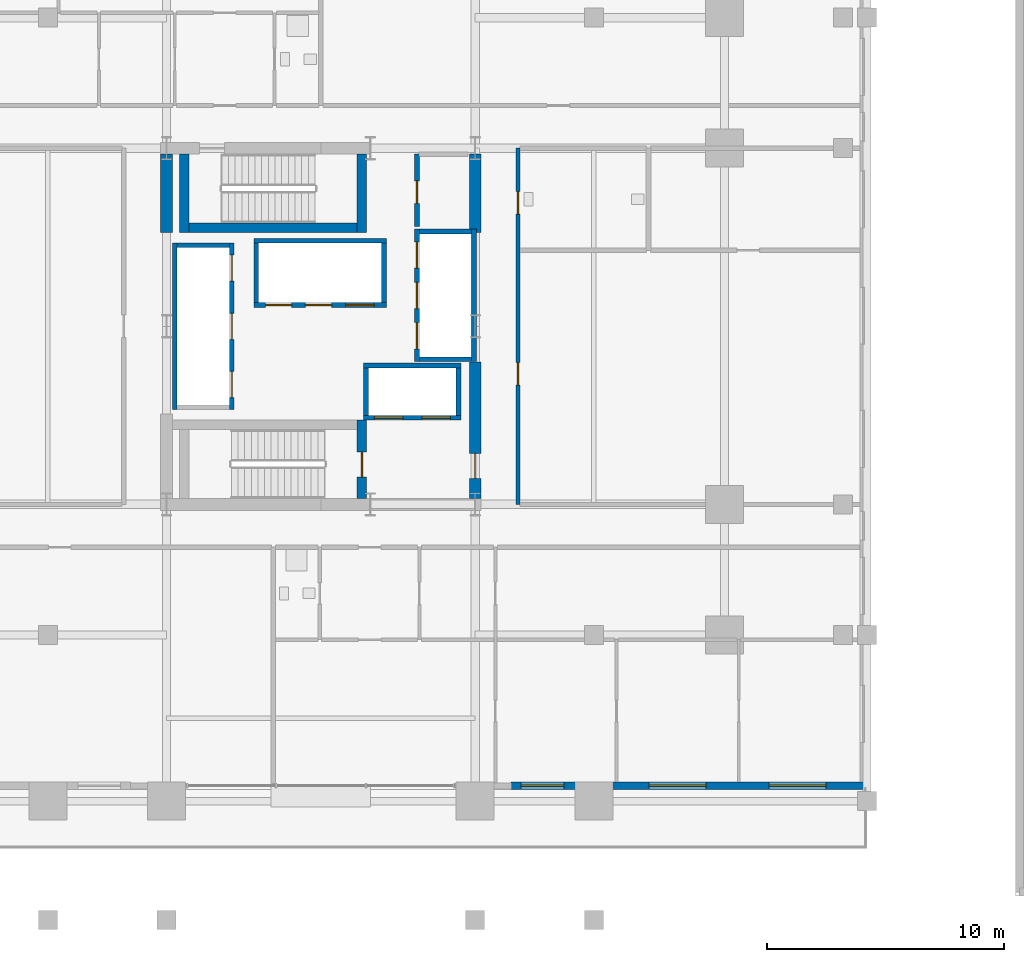
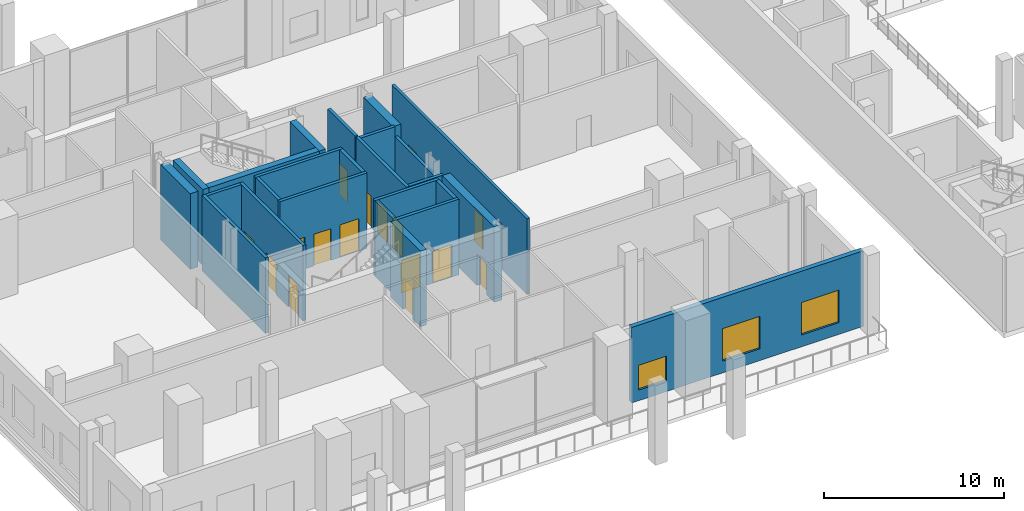
# One storey, part 12 of 22: 25 walls, 16 doors, 3 windows, 19 openings.
"""IFC4 building model written with IfcOpenShell, lengths in metres."""

from ifc_helpers import new_model, si_unit, direction, frame, frame_2d, origin, place, context, subcontext, project, spatial, rectangle, extrude, material, layer, layer_set, type_object, element, fill, save


model = new_model("IFC4")

# Units and contexts
model_context = context("Model", 3, precision=1e-05, world=origin(), true_north=direction((0.0, 1.0)))
body_context = subcontext(model_context, "Body", "Model", "MODEL_VIEW")
ifc_project = project(units=[si_unit("LENGTHUNIT", "METRE"), si_unit("AREAUNIT", "SQUARE_METRE"), si_unit("VOLUMEUNIT", "CUBIC_METRE"), si_unit("PLANEANGLEUNIT", "RADIAN"), si_unit("MASSUNIT", "GRAM", prefix="KILO")], contexts=[model_context])

# Site, building, storey
site_placement = place(None, origin())
site = spatial("IfcSite", under=ifc_project, at=site_placement, CompositionType="ELEMENT")
building_placement = place(site_placement, origin())
building = spatial("IfcBuilding", under=site, at=building_placement, Name="Barlavira Tower and Art Museum", CompositionType="ELEMENT")
storey_placement = place(building_placement, frame((0.0, 0.0, 16.800048828125)))
storey = spatial("IfcBuildingStorey", under=building, at=storey_placement, Name="L03", CompositionType="ELEMENT", Elevation=16.800048828125)

# Wall
ifc_material_1 = material(Name="Concrete C60", Category="concrete")
ifc_layer_1 = layer(ifc_material_1, 0.5, Name="Concrete C60")
ifc_layer_set_1 = layer_set([ifc_layer_1], Name="Concrete C60")
wall_type_1 = type_object("IfcWallType", Name="Core Structural Shear Wall 500 Concrete C60", PredefinedType="SHEAR", material=ifc_layer_set_1)
wall_1_placement = place(storey_placement, frame((-6.5, 3.949951171875, 0.0), z_axis=(0.0, 0.0, 1.0), x_axis=(0.0, 1.0, 0.0)))
element("IfcWall", 1, at=wall_1_placement, inside=storey, type_object=wall_type_1, Name="L03 Core Shear Wall CS-W2", PredefinedType="SHEAR", context=body_context, shape_type="SweptSolid", body=[
    extrude(rectangle(XDim=3.300048828125, YDim=0.5, at=frame_2d((1.64990234375, 0.0))), origin(), (0.0, 0.0, 1.0), 5.119873046875),
])

# Wall, opening, door
wall_2_placement = place(storey_placement, frame((6.5, -7.25, 0.0), z_axis=(0.0, 0.0, 1.0), x_axis=(0.0, 1.0, 0.0)))
wall_2 = element("IfcWall", 2, at=wall_2_placement, inside=storey, type_object=wall_type_1, Name="L03 Core Shear Wall CS-E1", PredefinedType="SHEAR", context=body_context, shape_type="SweptSolid", body=[
    extrude(rectangle(XDim=5.75, YDim=0.5, at=frame_2d((2.875, 0.0))), origin(), (0.0, 0.0, 1.0), 5.119873046875),
])
opening_1_placement = place(wall_2_placement, frame((0.85009765625, 0.0, 0.0)))
opening_1 = element("IfcOpeningElement", 3, at=opening_1_placement, cuts=wall_2, Name="Opening FD-90", PredefinedType="OPENING", context=body_context, shape_type="SweptSolid", body=[
    extrude(rectangle(XDim=1.050048828125, YDim=2.14990234375, at=frame_2d((0.52490234375, 1.074951171875))), frame((0.0, 0.260009765625, 0.0), z_axis=(0.0, -1.0, 0.0), x_axis=(1.0, 0.0, 0.0)), (0.0, 0.0, 1.0), 0.52001953125),
])
ifc_material_2 = material(Name="Brushed stainless steel", Category="steel")
door_type_1 = type_object("IfcDoorType", Name="Stair and Refuge Fire Door 1050x2150 FD90S", OperationType="NOTDEFINED", PredefinedType="DOOR", material=ifc_material_2)
door_1_placement = place(opening_1_placement, origin())
door_1 = element("IfcDoor", 4, at=door_1_placement, inside=storey, type_object=door_type_1, Name="L03 Firefighting Lobby Entry Fire Door", OperationType="SINGLE_SWING_LEFT", OverallHeight=2.14990234375, OverallWidth=1.050048828125, PredefinedType="DOOR", context=body_context, shape_type="SweptSolid", body=[
    extrude(rectangle(XDim=1.050048828125, YDim=2.14990234375, at=frame_2d((0.52490234375, 1.074951171875))), frame((0.0, 0.02490234375, 0.0), z_axis=(0.0, -1.0, 0.0), x_axis=(1.0, 0.0, 0.0)), (0.0, 0.0, 1.0), 0.050048828125),
])
fill(opening_1, door_1)

# Wall
wall_3_placement = place(storey_placement, frame((6.5, 3.949951171875, 0.0), z_axis=(0.0, 0.0, 1.0), x_axis=(0.0, 1.0, 0.0)))
element("IfcWall", 5, at=wall_3_placement, inside=storey, type_object=wall_type_1, Name="L03 Core Shear Wall CS-E2", PredefinedType="SHEAR", context=body_context, shape_type="SweptSolid", body=[
    extrude(rectangle(XDim=3.300048828125, YDim=0.5, at=frame_2d((1.64990234375, 0.0))), origin(), (0.0, 0.0, 1.0), 5.119873046875),
])

# Wall, openings, doors
ifc_material_3 = material(Name="Autoclaved aerated concrete masonry", Category="masonry")
ifc_layer_2 = layer(ifc_material_3, 0.199951171875, Name="Autoclaved aerated concrete masonry")
ifc_layer_set_2 = layer_set([ifc_layer_2], Name="Autoclaved aerated concrete masonry")
wall_type_2 = type_object("IfcWallType", Name="Fire Compartment and Shaft Wall 200", PredefinedType="SOLIDWALL", material=ifc_layer_set_2)
wall_4_placement = place(storey_placement, frame((-3.75, -3.510009765625, 0.0), z_axis=(0.0, 0.0, 1.0), x_axis=(0.0, 1.0, 0.0)))
wall_4 = element("IfcWall", 6, at=wall_4_placement, inside=storey, type_object=wall_type_2, Name="L03 Low-Rise Lift Front Shaft Wall", PredefinedType="SOLIDWALL", context=body_context, shape_type="SweptSolid", body=[
    extrude(rectangle(XDim=7.02001953125, YDim=0.199951171875, at=frame_2d((3.510009765625, 0.0))), origin(), (0.0, 0.0, 1.0), 5.119873046875),
])
opening_2_placement = place(wall_4_placement, frame((0.510009765625, 0.0, 0.0)))
opening_2 = element("IfcOpeningElement", 7, at=opening_2_placement, cuts=wall_4, Name="Opening LD-P", PredefinedType="OPENING", context=body_context, shape_type="SweptSolid", body=[
    extrude(rectangle(XDim=1.10009765625, YDim=2.14990234375, at=frame_2d((0.550048828125, 1.074951171875))), frame((0.0, 0.10986328125, 0.0), z_axis=(0.0, -1.0, 0.0), x_axis=(1.0, 0.0, 0.0)), (0.0, 0.0, 1.0), 0.219970703125),
])
opening_3_placement = place(wall_4_placement, frame((2.9599609375, 0.0, 0.0)))
opening_3 = element("IfcOpeningElement", 8, at=opening_3_placement, cuts=wall_4, Name="Opening LD-P", PredefinedType="OPENING", context=body_context, shape_type="SweptSolid", body=[
    extrude(rectangle(XDim=1.10009765625, YDim=2.14990234375, at=frame_2d((0.550048828125, 1.074951171875))), frame((0.0, 0.10986328125, 0.0), z_axis=(0.0, -1.0, 0.0), x_axis=(1.0, 0.0, 0.0)), (0.0, 0.0, 1.0), 0.219970703125),
])
opening_4_placement = place(wall_4_placement, frame((5.409912109375, 0.0, 0.0)))
opening_4 = element("IfcOpeningElement", 9, at=opening_4_placement, cuts=wall_4, Name="Opening LD-P", PredefinedType="OPENING", context=body_context, shape_type="SweptSolid", body=[
    extrude(rectangle(XDim=1.10009765625, YDim=2.14990234375, at=frame_2d((0.550048828125, 1.074951171875))), frame((0.0, 0.10986328125, 0.0), z_axis=(0.0, -1.0, 0.0), x_axis=(1.0, 0.0, 0.0)), (0.0, 0.0, 1.0), 0.219970703125),
])
door_type_2 = type_object("IfcDoorType", Name="Passenger Lift Sliding Landing Door 1100x2150 FD60", OperationType="NOTDEFINED", PredefinedType="DOOR", material=ifc_material_2)
door_2_placement = place(opening_2_placement, origin())
door_2 = element("IfcDoor", 10, at=door_2_placement, inside=storey, type_object=door_type_2, Name="L03 Lift PL1 Sliding Landing Door", OperationType="DOUBLE_DOOR_SLIDING", OverallHeight=2.14990234375, OverallWidth=1.10009765625, PredefinedType="DOOR", context=body_context, shape_type="SweptSolid", body=[
    extrude(rectangle(XDim=1.10009765625, YDim=2.14990234375, at=frame_2d((0.550048828125, 1.074951171875))), frame((0.0, 0.02490234375, 0.0), z_axis=(0.0, -1.0, 0.0), x_axis=(1.0, 0.0, 0.0)), (0.0, 0.0, 1.0), 0.050048828125),
])
fill(opening_2, door_2)
door_3_placement = place(opening_3_placement, origin())
door_3 = element("IfcDoor", 11, at=door_3_placement, inside=storey, type_object=door_type_2, Name="L03 Lift PL2 Sliding Landing Door", OperationType="DOUBLE_DOOR_SLIDING", OverallHeight=2.14990234375, OverallWidth=1.10009765625, PredefinedType="DOOR", context=body_context, shape_type="SweptSolid", body=[
    extrude(rectangle(XDim=1.10009765625, YDim=2.14990234375, at=frame_2d((0.550048828125, 1.074951171875))), frame((0.0, 0.02490234375, 0.0), z_axis=(0.0, -1.0, 0.0), x_axis=(1.0, 0.0, 0.0)), (0.0, 0.0, 1.0), 0.050048828125),
])
fill(opening_3, door_3)
door_4_placement = place(opening_4_placement, origin())
door_4 = element("IfcDoor", 12, at=door_4_placement, inside=storey, type_object=door_type_2, Name="L03 Lift PL3 Sliding Landing Door", OperationType="DOUBLE_DOOR_SLIDING", OverallHeight=2.14990234375, OverallWidth=1.10009765625, PredefinedType="DOOR", context=body_context, shape_type="SweptSolid", body=[
    extrude(rectangle(XDim=1.10009765625, YDim=2.14990234375, at=frame_2d((0.550048828125, 1.074951171875))), frame((0.0, 0.02490234375, 0.0), z_axis=(0.0, -1.0, 0.0), x_axis=(1.0, 0.0, 0.0)), (0.0, 0.0, 1.0), 0.050048828125),
])
fill(opening_4, door_4)

# Walls
wall_5_placement = place(storey_placement, frame((-6.14990234375, -3.510009765625, 0.0), z_axis=(0.0, 0.0, 1.0), x_axis=(0.0, 1.0, 0.0)))
element("IfcWall", 13, at=wall_5_placement, inside=storey, type_object=wall_type_2, Name="L03 Low-Rise Lift Back Shaft Wall", PredefinedType="SOLIDWALL", context=body_context, shape_type="SweptSolid", body=[
    extrude(rectangle(XDim=7.02001953125, YDim=0.199951171875, at=frame_2d((3.510009765625, 0.0))), origin(), (0.0, 0.0, 1.0), 5.119873046875),
])
wall_6_placement = place(storey_placement, frame((-6.050048828125, 3.409912109375, 0.0), z_axis=(0.0, 0.0, 1.0), x_axis=(1.0, 0.0, 0.0)))
element("IfcWall", 14, at=wall_6_placement, inside=storey, type_object=wall_type_2, Name="L03 Low-Rise Lift North Shaft Wall", PredefinedType="SOLIDWALL", context=body_context, shape_type="SweptSolid", body=[
    extrude(rectangle(XDim=2.199951171875, YDim=0.199951171875, at=frame_2d((1.10009765625, 0.0))), origin(), (0.0, 0.0, 1.0), 5.119873046875),
])

# Wall, openings, doors
wall_7_placement = place(storey_placement, frame((4.050048828125, -1.489990234375, 0.0), z_axis=(0.0, 0.0, 1.0), x_axis=(0.0, 1.0, 0.0)))
wall_7 = element("IfcWall", 15, at=wall_7_placement, inside=storey, type_object=wall_type_2, Name="L03 Mid-Rise Lift Front Shaft Wall", PredefinedType="SOLIDWALL", context=body_context, shape_type="SweptSolid", body=[
    extrude(rectangle(XDim=5.580078125, YDim=0.199951171875, at=frame_2d((2.7900390625, 0.0))), origin(), (0.0, 0.0, 1.0), 5.119873046875),
])
opening_5_placement = place(wall_7_placement, frame((0.5400390625, 0.0, 0.0)))
opening_5 = element("IfcOpeningElement", 16, at=opening_5_placement, cuts=wall_7, Name="Opening LD-P", PredefinedType="OPENING", context=body_context, shape_type="SweptSolid", body=[
    extrude(rectangle(XDim=1.10009765625, YDim=2.14990234375, at=frame_2d((0.550048828125, 1.074951171875))), frame((0.0, 0.10986328125, 0.0), z_axis=(0.0, -1.0, 0.0), x_axis=(1.0, 0.0, 0.0)), (0.0, 0.0, 1.0), 0.219970703125),
])
opening_6_placement = place(wall_7_placement, frame((2.239990234375, 0.0, 0.0)))
opening_6 = element("IfcOpeningElement", 17, at=opening_6_placement, cuts=wall_7, Name="Opening LD-P", PredefinedType="OPENING", context=body_context, shape_type="SweptSolid", body=[
    extrude(rectangle(XDim=1.10009765625, YDim=2.14990234375, at=frame_2d((0.550048828125, 1.074951171875))), frame((0.0, 0.10986328125, 0.0), z_axis=(0.0, -1.0, 0.0), x_axis=(1.0, 0.0, 0.0)), (0.0, 0.0, 1.0), 0.219970703125),
])
opening_7_placement = place(wall_7_placement, frame((3.93994140625, 0.0, 0.0)))
opening_7 = element("IfcOpeningElement", 18, at=opening_7_placement, cuts=wall_7, Name="Opening LD-P", PredefinedType="OPENING", context=body_context, shape_type="SweptSolid", body=[
    extrude(rectangle(XDim=1.10009765625, YDim=2.14990234375, at=frame_2d((0.550048828125, 1.074951171875))), frame((0.0, 0.10986328125, 0.0), z_axis=(0.0, -1.0, 0.0), x_axis=(1.0, 0.0, 0.0)), (0.0, 0.0, 1.0), 0.219970703125),
])
door_5_placement = place(opening_5_placement, origin())
door_5 = element("IfcDoor", 19, at=door_5_placement, inside=storey, type_object=door_type_2, Name="L03 Lift PM1 Sliding Landing Door", OperationType="DOUBLE_DOOR_SLIDING", OverallHeight=2.14990234375, OverallWidth=1.10009765625, PredefinedType="DOOR", context=body_context, shape_type="SweptSolid", body=[
    extrude(rectangle(XDim=1.10009765625, YDim=2.14990234375, at=frame_2d((0.550048828125, 1.074951171875))), frame((0.0, 0.02490234375, 0.0), z_axis=(0.0, -1.0, 0.0), x_axis=(1.0, 0.0, 0.0)), (0.0, 0.0, 1.0), 0.050048828125),
])
fill(opening_5, door_5)
door_6_placement = place(opening_6_placement, origin())
door_6 = element("IfcDoor", 20, at=door_6_placement, inside=storey, type_object=door_type_2, Name="L03 Lift PM2 Sliding Landing Door", OperationType="DOUBLE_DOOR_SLIDING", OverallHeight=2.14990234375, OverallWidth=1.10009765625, PredefinedType="DOOR", context=body_context, shape_type="SweptSolid", body=[
    extrude(rectangle(XDim=1.10009765625, YDim=2.14990234375, at=frame_2d((0.550048828125, 1.074951171875))), frame((0.0, 0.02490234375, 0.0), z_axis=(0.0, -1.0, 0.0), x_axis=(1.0, 0.0, 0.0)), (0.0, 0.0, 1.0), 0.050048828125),
])
fill(opening_6, door_6)
door_7_placement = place(opening_7_placement, origin())
door_7 = element("IfcDoor", 21, at=door_7_placement, inside=storey, type_object=door_type_2, Name="L03 Lift PM3 Sliding Landing Door", OperationType="DOUBLE_DOOR_SLIDING", OverallHeight=2.14990234375, OverallWidth=1.10009765625, PredefinedType="DOOR", context=body_context, shape_type="SweptSolid", body=[
    extrude(rectangle(XDim=1.10009765625, YDim=2.14990234375, at=frame_2d((0.550048828125, 1.074951171875))), frame((0.0, 0.02490234375, 0.0), z_axis=(0.0, -1.0, 0.0), x_axis=(1.0, 0.0, 0.0)), (0.0, 0.0, 1.0), 0.050048828125),
])
fill(opening_7, door_7)

# Walls
wall_8_placement = place(storey_placement, frame((6.449951171875, -1.489990234375, 0.0), z_axis=(0.0, 0.0, 1.0), x_axis=(0.0, 1.0, 0.0)))
element("IfcWall", 22, at=wall_8_placement, inside=storey, type_object=wall_type_2, Name="L03 Mid-Rise Lift Back Shaft Wall", PredefinedType="SOLIDWALL", context=body_context, shape_type="SweptSolid", body=[
    extrude(rectangle(XDim=5.580078125, YDim=0.199951171875, at=frame_2d((2.7900390625, 0.0))), origin(), (0.0, 0.0, 1.0), 4.409912109375),
])
for number, where, z_axis, x_axis, name in (
    (23, (4.14990234375, -1.389892578125, 0.0), (0.0, 0.0, 1.0), (1.0, 0.0, 0.0), "L03 Mid-Rise Lift South Shaft Wall"),
    (24, (4.14990234375, 3.989990234375, 0.0), (0.0, 0.0, 1.0), (1.0, 0.0, 0.0), "L03 Mid-Rise Lift North Shaft Wall"),
):
    element("IfcWall", number, at=place(storey_placement, frame(where, z_axis=z_axis, x_axis=x_axis)), inside=storey, type_object=wall_type_2, Name=name, PredefinedType="SOLIDWALL", context=body_context, shape_type="SweptSolid", body=[
        extrude(rectangle(XDim=2.2001953125, YDim=0.199951171875, at=frame_2d((1.10009765625, 0.0))), origin(), (0.0, 0.0, 1.0), 5.119873046875),
    ])

# Wall, openings, doors
wall_9_placement = place(storey_placement, frame((-2.820068359375, 0.89990234375, 0.0), z_axis=(0.0, 0.0, 1.0), x_axis=(1.0, 0.0, 0.0)))
wall_9 = element("IfcWall", 25, at=wall_9_placement, inside=storey, type_object=wall_type_2, Name="L03 High-Rise & Service Lift Front Wall", PredefinedType="SOLIDWALL", context=body_context, shape_type="SweptSolid", body=[
    extrude(rectangle(XDim=5.580078125, YDim=0.199951171875, at=frame_2d((2.7900390625, 0.0))), origin(), (0.0, 0.0, 1.0), 5.119873046875),
])
opening_8_placement = place(wall_9_placement, frame((0.489990234375, 0.0, 0.0)))
opening_8 = element("IfcOpeningElement", 26, at=opening_8_placement, cuts=wall_9, Name="Opening LD-P", PredefinedType="OPENING", context=body_context, shape_type="SweptSolid", body=[
    extrude(rectangle(XDim=1.10009765625, YDim=2.14990234375, at=frame_2d((0.550048828125, 1.074951171875))), frame((0.0, 0.10986328125, 0.0), z_axis=(0.0, -1.0, 0.0), x_axis=(1.0, 0.0, 0.0)), (0.0, 0.0, 1.0), 0.219970703125),
])
opening_9_placement = place(wall_9_placement, frame((2.169921875, 0.0, 0.0)))
opening_9 = element("IfcOpeningElement", 27, at=opening_9_placement, cuts=wall_9, Name="Opening LD-P", PredefinedType="OPENING", context=body_context, shape_type="SweptSolid", body=[
    extrude(rectangle(XDim=1.10009765625, YDim=2.14990234375, at=frame_2d((0.550048828125, 1.074951171875))), frame((0.0, 0.10986328125, 0.0), z_axis=(0.0, -1.0, 0.0), x_axis=(1.0, 0.0, 0.0)), (0.0, 0.0, 1.0), 0.219970703125),
])
opening_10_placement = place(wall_9_placement, frame((3.860107421875, 0.0, 0.0)))
opening_10 = element("IfcOpeningElement", 28, at=opening_10_placement, cuts=wall_9, Name="Opening LD-F", PredefinedType="OPENING", context=body_context, shape_type="SweptSolid", body=[
    extrude(rectangle(XDim=1.199951171875, YDim=2.199951171875, at=frame_2d((0.60009765625, 1.10009765625))), frame((0.0, 0.10986328125, 0.0), z_axis=(0.0, -1.0, 0.0), x_axis=(1.0, 0.0, 0.0)), (0.0, 0.0, 1.0), 0.219970703125),
])
door_type_3 = type_object("IfcDoorType", Name="Firefighting and Service Lift Sliding Door 1200x2200 FD120", OperationType="NOTDEFINED", PredefinedType="DOOR", material=ifc_material_2)
door_8_placement = place(opening_10_placement, origin())
door_8 = element("IfcDoor", 29, at=door_8_placement, inside=storey, type_object=door_type_3, Name="L03 Stretcher Service Lift SL1 Sliding Door", OperationType="DOUBLE_DOOR_SLIDING", OverallHeight=2.199951171875, OverallWidth=1.199951171875, PredefinedType="DOOR", context=body_context, shape_type="SweptSolid", body=[
    extrude(rectangle(XDim=1.199951171875, YDim=2.199951171875, at=frame_2d((0.60009765625, 1.10009765625))), frame((0.0, 0.02490234375, 0.0), z_axis=(0.0, -1.0, 0.0), x_axis=(1.0, 0.0, 0.0)), (0.0, 0.0, 1.0), 0.050048828125),
])
fill(opening_10, door_8)
door_9_placement = place(opening_8_placement, origin())
door_9 = element("IfcDoor", 30, at=door_9_placement, inside=storey, type_object=door_type_2, Name="L03 Lift PH1 Sliding Landing Door", OperationType="DOUBLE_DOOR_SLIDING", OverallHeight=2.14990234375, OverallWidth=1.10009765625, PredefinedType="DOOR", context=body_context, shape_type="SweptSolid", body=[
    extrude(rectangle(XDim=1.10009765625, YDim=2.14990234375, at=frame_2d((0.550048828125, 1.074951171875))), frame((0.0, 0.02490234375, 0.0), z_axis=(0.0, -1.0, 0.0), x_axis=(1.0, 0.0, 0.0)), (0.0, 0.0, 1.0), 0.050048828125),
])
fill(opening_8, door_9)
door_10_placement = place(opening_9_placement, origin())
door_10 = element("IfcDoor", 31, at=door_10_placement, inside=storey, type_object=door_type_2, Name="L03 Lift PH2 Sliding Landing Door", OperationType="DOUBLE_DOOR_SLIDING", OverallHeight=2.14990234375, OverallWidth=1.10009765625, PredefinedType="DOOR", context=body_context, shape_type="SweptSolid", body=[
    extrude(rectangle(XDim=1.10009765625, YDim=2.14990234375, at=frame_2d((0.550048828125, 1.074951171875))), frame((0.0, 0.02490234375, 0.0), z_axis=(0.0, -1.0, 0.0), x_axis=(1.0, 0.0, 0.0)), (0.0, 0.0, 1.0), 0.050048828125),
])
fill(opening_9, door_10)

# Walls
wall_10_placement = place(storey_placement, frame((-2.820068359375, 3.60009765625, 0.0), z_axis=(0.0, 0.0, 1.0), x_axis=(1.0, 0.0, 0.0)))
element("IfcWall", 32, at=wall_10_placement, inside=storey, type_object=wall_type_2, Name="L03 High-Rise & Service Lift Back Wall", PredefinedType="SOLIDWALL", context=body_context, shape_type="SweptSolid", body=[
    extrude(rectangle(XDim=5.580078125, YDim=0.199951171875, at=frame_2d((2.7900390625, 0.0))), origin(), (0.0, 0.0, 1.0), 5.119873046875),
])
for number, where, z_axis, x_axis, name in (
    (33, (-2.719970703125, 1.0, 0.0), (0.0, 0.0, 1.0), (0.0, 1.0, 0.0), "L03 High-Rise & Service Lift West Wall"),
    (34, (2.659912109375, 1.0, 0.0), (0.0, 0.0, 1.0), (0.0, 1.0, 0.0), "L03 High-Rise & Service Lift East Wall"),
):
    element("IfcWall", number, at=place(storey_placement, frame(where, z_axis=z_axis, x_axis=x_axis)), inside=storey, type_object=wall_type_2, Name=name, PredefinedType="SOLIDWALL", context=body_context, shape_type="SweptSolid", body=[
        extrude(rectangle(XDim=2.5, YDim=0.199951171875, at=frame_2d((1.25, 0.0))), origin(), (0.0, 0.0, 1.0), 5.119873046875),
    ])

# Wall, openings, doors
wall_11_placement = place(storey_placement, frame((1.800048828125, -3.85009765625, 0.0), z_axis=(0.0, 0.0, 1.0), x_axis=(1.0, 0.0, 0.0)))
wall_11 = element("IfcWall", 35, at=wall_11_placement, inside=storey, type_object=wall_type_2, Name="L03 Firefighting Lift Front Shaft Wall", PredefinedType="SOLIDWALL", context=body_context, shape_type="SweptSolid", body=[
    extrude(rectangle(XDim=4.099853515625, YDim=0.199951171875, at=frame_2d((2.0498046875, 0.0))), origin(), (0.0, 0.0, 1.0), 5.119873046875),
])
opening_11_placement = place(wall_11_placement, frame((0.449951171875, 0.0, 0.0)))
opening_11 = element("IfcOpeningElement", 36, at=opening_11_placement, cuts=wall_11, Name="Opening LD-F", PredefinedType="OPENING", context=body_context, shape_type="SweptSolid", body=[
    extrude(rectangle(XDim=1.199951171875, YDim=2.199951171875, at=frame_2d((0.60009765625, 1.10009765625))), frame((0.0, 0.10986328125, 0.0), z_axis=(0.0, -1.0, 0.0), x_axis=(1.0, 0.0, 0.0)), (0.0, 0.0, 1.0), 0.219970703125),
])
opening_12_placement = place(wall_11_placement, frame((2.449951171875, 0.0, 0.0)))
opening_12 = element("IfcOpeningElement", 37, at=opening_12_placement, cuts=wall_11, Name="Opening LD-F", PredefinedType="OPENING", context=body_context, shape_type="SweptSolid", body=[
    extrude(rectangle(XDim=1.199951171875, YDim=2.199951171875, at=frame_2d((0.60009765625, 1.10009765625))), frame((0.0, 0.10986328125, 0.0), z_axis=(0.0, -1.0, 0.0), x_axis=(1.0, 0.0, 0.0)), (0.0, 0.0, 1.0), 0.219970703125),
])
door_11_placement = place(opening_11_placement, origin())
door_11 = element("IfcDoor", 38, at=door_11_placement, inside=storey, type_object=door_type_3, Name="L03 Firefighting Lift FF1 Sliding Door", OperationType="DOUBLE_DOOR_SLIDING", OverallHeight=2.199951171875, OverallWidth=1.199951171875, PredefinedType="DOOR", context=body_context, shape_type="SweptSolid", body=[
    extrude(rectangle(XDim=1.199951171875, YDim=2.199951171875, at=frame_2d((0.60009765625, 1.10009765625))), frame((0.0, 0.02490234375, 0.0), z_axis=(0.0, -1.0, 0.0), x_axis=(1.0, 0.0, 0.0)), (0.0, 0.0, 1.0), 0.050048828125),
])
fill(opening_11, door_11)
door_12_placement = place(opening_12_placement, origin())
door_12 = element("IfcDoor", 39, at=door_12_placement, inside=storey, type_object=door_type_3, Name="L03 Firefighting Lift FF2 Sliding Door", OperationType="DOUBLE_DOOR_SLIDING", OverallHeight=2.199951171875, OverallWidth=1.199951171875, PredefinedType="DOOR", context=body_context, shape_type="SweptSolid", body=[
    extrude(rectangle(XDim=1.199951171875, YDim=2.199951171875, at=frame_2d((0.60009765625, 1.10009765625))), frame((0.0, 0.02490234375, 0.0), z_axis=(0.0, -1.0, 0.0), x_axis=(1.0, 0.0, 0.0)), (0.0, 0.0, 1.0), 0.050048828125),
])
fill(opening_12, door_12)

# Walls
wall_12_placement = place(storey_placement, frame((1.800048828125, -1.64990234375, 0.0), z_axis=(0.0, 0.0, 1.0), x_axis=(1.0, 0.0, 0.0)))
element("IfcWall", 40, at=wall_12_placement, inside=storey, type_object=wall_type_2, Name="L03 Firefighting Lift Back Shaft Wall", PredefinedType="SOLIDWALL", context=body_context, shape_type="SweptSolid", body=[
    extrude(rectangle(XDim=4.099853515625, YDim=0.199951171875, at=frame_2d((2.0498046875, 0.0))), origin(), (0.0, 0.0, 1.0), 5.119873046875),
])
for number, where, z_axis, x_axis, name in (
    (41, (1.89990234375, -3.75, 0.0), (0.0, 0.0, 1.0), (0.0, 1.0, 0.0), "L03 Firefighting Lift West Shaft Wall"),
    (42, (5.800048828125, -3.75, 0.0), (0.0, 0.0, 1.0), (0.0, 1.0, 0.0), "L03 Firefighting Lift East Shaft Wall"),
):
    element("IfcWall", number, at=place(storey_placement, frame(where, z_axis=z_axis, x_axis=x_axis)), inside=storey, type_object=wall_type_2, Name=name, PredefinedType="SOLIDWALL", context=body_context, shape_type="SweptSolid", body=[
        extrude(rectangle(XDim=2.0, YDim=0.199951171875, at=frame_2d((1.0, 0.0))), origin(), (0.0, 0.0, 1.0), 5.119873046875),
    ])

# Wall, opening, door
wall_13_placement = place(storey_placement, frame((4.050048828125, 4.199951171875, 0.0), z_axis=(0.0, 0.0, 1.0), x_axis=(0.0, 1.0, 0.0)))
wall_13 = element("IfcWall", 43, at=wall_13_placement, inside=storey, type_object=wall_type_2, Name="L03 Partition Wall 10", PredefinedType="SOLIDWALL", context=body_context, shape_type="SweptSolid", body=[
    extrude(rectangle(XDim=3.050048828125, YDim=0.199951171875, at=frame_2d((1.52490234375, 0.0))), origin(), (0.0, 0.0, 1.0), 5.119873046875),
])
opening_13_placement = place(wall_13_placement, frame((0.97509765625, 0.0, 0.0)))
opening_13 = element("IfcOpeningElement", 44, at=opening_13_placement, cuts=wall_13, Name="Opening FD-60", PredefinedType="OPENING", context=body_context, shape_type="SweptSolid", body=[
    extrude(rectangle(XDim=0.949951171875, YDim=2.14990234375, at=frame_2d((0.47509765625, 1.074951171875))), frame((0.0, 0.10986328125, 0.0), z_axis=(0.0, -1.0, 0.0), x_axis=(1.0, 0.0, 0.0)), (0.0, 0.0, 1.0), 0.219970703125),
])
door_type_4 = type_object("IfcDoorType", Name="Apartment Entrance and Riser Fire Door 950x2150 FD60S", OperationType="NOTDEFINED", PredefinedType="DOOR", material=ifc_material_2)
door_13_placement = place(opening_13_placement, origin())
door_13 = element("IfcDoor", 45, at=door_13_placement, inside=storey, type_object=door_type_4, Name="Combined Electrical and Telecom Plant Room Door", OperationType="SINGLE_SWING_RIGHT", OverallHeight=2.14990234375, OverallWidth=0.949951171875, PredefinedType="DOOR", context=body_context, shape_type="SweptSolid", body=[
    extrude(rectangle(XDim=0.949951171875, YDim=2.14990234375, at=frame_2d((0.47509765625, 1.074951171875))), frame((0.0, 0.02490234375, 0.0), z_axis=(0.0, -1.0, 0.0), x_axis=(1.0, 0.0, 0.0)), (0.0, 0.0, 1.0), 0.050048828125),
])
fill(opening_13, door_13)

# Wall, openings, doors
ifc_material_4 = material(Name="Gypsum acoustic stud partition", Category="gypsum")
ifc_layer_3 = layer(ifc_material_4, 0.179931640625, Name="Gypsum acoustic stud partition")
ifc_layer_set_3 = layer_set([ifc_layer_3], Name="Gypsum acoustic stud partition")
wall_type_3 = type_object("IfcWallType", Name="Inter-Tenancy Party Partition Wall 180", PredefinedType="PARTITIONING", material=ifc_layer_set_3)
wall_14_placement = place(storey_placement, frame((8.300048828125, -7.5, 0.0), z_axis=(0.0, 0.0, 1.0), x_axis=(0.0, 1.0, 0.0)))
wall_14 = element("IfcWall", 46, at=wall_14_placement, inside=storey, type_object=wall_type_3, Name="L03 Partition Wall 13", PredefinedType="PARTITIONING", context=body_context, shape_type="SweptSolid", body=[
    extrude(rectangle(XDim=15.0, YDim=0.179931640625, at=frame_2d((7.5, 0.0))), origin(), (0.0, 0.0, 1.0), 5.119873046875),
])
opening_14_placement = place(wall_14_placement, frame((5.02490234375, 0.0, 0.0)))
opening_14 = element("IfcOpeningElement", 47, at=opening_14_placement, cuts=wall_14, Name="Opening FD-60", PredefinedType="OPENING", context=body_context, shape_type="SweptSolid", body=[
    extrude(rectangle(XDim=0.949951171875, YDim=2.14990234375, at=frame_2d((0.47509765625, 1.074951171875))), frame((0.0, 0.10009765625, 0.0), z_axis=(0.0, -1.0, 0.0), x_axis=(1.0, 0.0, 0.0)), (0.0, 0.0, 1.0), 0.199951171875),
])
opening_15_placement = place(wall_14_placement, frame((12.22509765625, 0.0, 0.0)))
opening_15 = element("IfcOpeningElement", 48, at=opening_15_placement, cuts=wall_14, Name="Opening FD-60", PredefinedType="OPENING", context=body_context, shape_type="SweptSolid", body=[
    extrude(rectangle(XDim=0.949951171875, YDim=2.14990234375, at=frame_2d((0.47509765625, 1.074951171875))), frame((0.0, 0.10009765625, 0.0), z_axis=(0.0, -1.0, 0.0), x_axis=(1.0, 0.0, 0.0)), (0.0, 0.0, 1.0), 0.199951171875),
])
door_14_placement = place(opening_14_placement, origin())
door_14 = element("IfcDoor", 49, at=door_14_placement, inside=storey, type_object=door_type_4, Name="L03 East Arcade Overlook Salon Door", OperationType="SINGLE_SWING_LEFT", OverallHeight=2.14990234375, OverallWidth=0.949951171875, PredefinedType="DOOR", context=body_context, shape_type="SweptSolid", body=[
    extrude(rectangle(XDim=0.949951171875, YDim=2.14990234375, at=frame_2d((0.47509765625, 1.074951171875))), frame((0.0, 0.02490234375, 0.0), z_axis=(0.0, -1.0, 0.0), x_axis=(1.0, 0.0, 0.0)), (0.0, 0.0, 1.0), 0.050048828125),
])
fill(opening_14, door_14)
door_15_placement = place(opening_15_placement, origin())
door_15 = element("IfcDoor", 50, at=door_15_placement, inside=storey, type_object=door_type_4, Name="L03 Podium Accessible Restroom Door", OperationType="SINGLE_SWING_RIGHT", OverallHeight=2.14990234375, OverallWidth=0.949951171875, PredefinedType="DOOR", context=body_context, shape_type="SweptSolid", body=[
    extrude(rectangle(XDim=0.949951171875, YDim=2.14990234375, at=frame_2d((0.47509765625, 1.074951171875))), frame((0.0, 0.02490234375, 0.0), z_axis=(0.0, -1.0, 0.0), x_axis=(1.0, 0.0, 0.0)), (0.0, 0.0, 1.0), 0.050048828125),
])
fill(opening_15, door_15)

# Wall, openings, windows
ifc_material_5 = material(Name="Precast concrete C40", Category="concrete")
ifc_layer_4 = layer(ifc_material_5, 0.300048828125, Name="Precast concrete C40")
ifc_layer_set_4 = layer_set([ifc_layer_4], Name="Precast concrete C40")
wall_type_4 = type_object("IfcWallType", Name="Podium Architectural Precast Facade Wall 300 Concrete C40", PredefinedType="SOLIDWALL", material=ifc_layer_set_4)
wall_15_placement = place(storey_placement, frame((22.85009765625, -19.35009765625, 0.0), z_axis=(0.0, 0.0, 1.0), x_axis=(-1.0, 0.0, 0.0)))
wall_15 = element("IfcWall", 51, at=wall_15_placement, inside=storey, type_object=wall_type_4, Name="L03 Podium South-East Wall", PredefinedType="SOLIDWALL", context=body_context, shape_type="SweptSolid", body=[
    extrude(rectangle(XDim=14.85009765625, YDim=0.300048828125, at=frame_2d((7.425048828125, 0.0))), origin(), (0.0, 0.0, 1.0), 5.119873046875),
])
opening_16_placement = place(wall_15_placement, frame((1.574951171875, 0.0, 0.800048828125)))
opening_16 = element("IfcOpeningElement", 52, at=opening_16_placement, cuts=wall_15, Name="Opening WN-02", PredefinedType="OPENING", context=body_context, shape_type="SweptSolid", body=[
    extrude(rectangle(XDim=2.39990234375, YDim=2.199951171875, at=frame_2d((1.199951171875, 1.10009765625))), frame((0.0, 0.16015625, 0.0), z_axis=(0.0, -1.0, 0.0), x_axis=(1.0, 0.0, 0.0)), (0.0, 0.0, 1.0), 0.320068359375),
])
opening_17_placement = place(wall_15_placement, frame((6.6201171875, 0.0, 0.800048828125)))
opening_17 = element("IfcOpeningElement", 53, at=opening_17_placement, cuts=wall_15, Name="Opening WN-02", PredefinedType="OPENING", context=body_context, shape_type="SweptSolid", body=[
    extrude(rectangle(XDim=2.39990234375, YDim=2.199951171875, at=frame_2d((1.199951171875, 1.10009765625))), frame((0.0, 0.16015625, 0.0), z_axis=(0.0, -1.0, 0.0), x_axis=(1.0, 0.0, 0.0)), (0.0, 0.0, 1.0), 0.320068359375),
])
opening_18_placement = place(wall_15_placement, frame((12.6201171875, 0.0, 0.719970703125)))
opening_18 = element("IfcOpeningElement", 54, at=opening_18_placement, cuts=wall_15, Name="Opening WN-01", PredefinedType="OPENING", context=body_context, shape_type="SweptSolid", body=[
    extrude(rectangle(XDim=1.800048828125, YDim=1.679931640625, at=frame_2d((0.89990234375, 0.83984375))), frame((0.0, 0.16015625, 0.0), z_axis=(0.0, -1.0, 0.0), x_axis=(1.0, 0.0, 0.0)), (0.0, 0.0, 1.0), 0.320068359375),
])
ifc_material_6 = material(Name="Low-iron coastal laminated glass", Category="glass")
window_type_1 = type_object("IfcWindowType", Name="Podium Garden Gallery Window 2400x2200", PartitioningType="SINGLE_PANEL", PredefinedType="WINDOW", material=ifc_material_6)
window_1_placement = place(opening_16_placement, origin())
window_1 = element("IfcWindow", 55, at=window_1_placement, inside=storey, type_object=window_type_1, Name="L03 Punched Facade Window EW-L03-SE-1", OverallHeight=2.199951171875, OverallWidth=2.39990234375, PartitioningType="SINGLE_PANEL", PredefinedType="WINDOW", context=body_context, shape_type="SweptSolid", body=[
    extrude(rectangle(XDim=2.39990234375, YDim=2.199951171875, at=frame_2d((1.199951171875, 1.10009765625))), frame((0.0, 0.030029296875, 0.0), z_axis=(0.0, -1.0, 0.0), x_axis=(1.0, 0.0, 0.0)), (0.0, 0.0, 1.0), 0.06005859375),
])
fill(opening_16, window_1)
window_2_placement = place(opening_17_placement, origin())
window_2 = element("IfcWindow", 56, at=window_2_placement, inside=storey, type_object=window_type_1, Name="L03 Punched Facade Window EW-L03-SE-2", OverallHeight=2.199951171875, OverallWidth=2.39990234375, PartitioningType="SINGLE_PANEL", PredefinedType="WINDOW", context=body_context, shape_type="SweptSolid", body=[
    extrude(rectangle(XDim=2.39990234375, YDim=2.199951171875, at=frame_2d((1.199951171875, 1.10009765625))), frame((0.0, 0.030029296875, 0.0), z_axis=(0.0, -1.0, 0.0), x_axis=(1.0, 0.0, 0.0)), (0.0, 0.0, 1.0), 0.06005859375),
])
fill(opening_17, window_2)
window_type_2 = type_object("IfcWindowType", Name="Recessed Notch Corner Punch Window 1800x1680", PartitioningType="SINGLE_PANEL", PredefinedType="WINDOW", material=ifc_material_6)
window_3_placement = place(opening_18_placement, origin())
window_3 = element("IfcWindow", 57, at=window_3_placement, inside=storey, type_object=window_type_2, Name="L03 Punched Facade Window EW-L03-SE-3", OverallHeight=1.679931640625, OverallWidth=1.800048828125, PartitioningType="SINGLE_PANEL", PredefinedType="WINDOW", context=body_context, shape_type="SweptSolid", body=[
    extrude(rectangle(XDim=1.800048828125, YDim=1.679931640625, at=frame_2d((0.89990234375, 0.83984375))), frame((0.0, 0.030029296875, 0.0), z_axis=(0.0, -1.0, 0.0), x_axis=(1.0, 0.0, 0.0)), (0.0, 0.0, 1.0), 0.06005859375),
])
fill(opening_18, window_3)

# Wall, opening, door
ifc_material_7 = material(Name="Concrete C55", Category="concrete")
ifc_layer_5 = layer(ifc_material_7, 0.39990234375, Name="Concrete C55")
ifc_layer_set_5 = layer_set([ifc_layer_5], Name="Concrete C55")
wall_type_5 = type_object("IfcWallType", Name="Upper Core Shear Wall 400 Concrete C55", PredefinedType="SHEAR", material=ifc_layer_set_5)
wall_16_placement = place(storey_placement, frame((1.72998046875, -7.25, 0.0), z_axis=(0.0, 0.0, 1.0), x_axis=(0.0, 1.0, 0.0)))
wall_16 = element("IfcWall", 58, at=wall_16_placement, inside=storey, type_object=wall_type_5, Name="L03 ST-T1 East Landing Wall", PredefinedType="SHEAR", context=body_context, shape_type="SweptSolid", body=[
    extrude(rectangle(XDim=3.300048828125, YDim=0.39990234375, at=frame_2d((1.64990234375, 0.0))), origin(), (0.0, 0.0, 1.0), 5.119873046875),
])
opening_19_placement = place(wall_16_placement, frame((0.89990234375, 0.0, 0.0)))
opening_19 = element("IfcOpeningElement", 59, at=opening_19_placement, cuts=wall_16, Name="Opening FD-90", PredefinedType="OPENING", context=body_context, shape_type="SweptSolid", body=[
    extrude(rectangle(XDim=1.050048828125, YDim=2.14990234375, at=frame_2d((0.52490234375, 1.074951171875))), frame((0.0, 0.2099609375, 0.0), z_axis=(0.0, -1.0, 0.0), x_axis=(1.0, 0.0, 0.0)), (0.0, 0.0, 1.0), 0.419921875),
])
door_16_placement = place(opening_19_placement, origin())
door_16 = element("IfcDoor", 60, at=door_16_placement, inside=storey, type_object=door_type_1, Name="L03 Stair ST-T1 Fire Door", OperationType="SINGLE_SWING_RIGHT", OverallHeight=2.14990234375, OverallWidth=1.050048828125, PredefinedType="DOOR", context=body_context, shape_type="SweptSolid", body=[
    extrude(rectangle(XDim=1.050048828125, YDim=2.14990234375, at=frame_2d((0.52490234375, 1.074951171875))), frame((0.0, 0.02490234375, 0.0), z_axis=(0.0, -1.0, 0.0), x_axis=(1.0, 0.0, 0.0)), (0.0, 0.0, 1.0), 0.050048828125),
])
fill(opening_19, door_16)

# Walls
wall_17_placement = place(storey_placement, frame((-5.550048828125, 4.14990234375, 0.0), z_axis=(0.0, 0.0, 1.0), x_axis=(1.0, 0.0, 0.0)))
element("IfcWall", 61, at=wall_17_placement, inside=storey, type_object=wall_type_5, Name="L03 ST-T2 South Shaft Wall", PredefinedType="SHEAR", context=body_context, shape_type="SweptSolid", body=[
    extrude(rectangle(XDim=7.080078125, YDim=0.39990234375, at=frame_2d((3.5400390625, 0.0))), origin(), (0.0, 0.0, 1.0), 5.119873046875),
])
for number, where, z_axis, x_axis, name in (
    (62, (1.72998046875, 3.949951171875, 0.0), (0.0, 0.0, 1.0), (0.0, 1.0, 0.0), "L03 ST-T2 East Half-Landing Wall"),
    (63, (-5.75, 3.949951171875, 0.0), (0.0, 0.0, 1.0), (0.0, 1.0, 0.0), "L03 ST-T2 West Shaft Wall"),
):
    element("IfcWall", number, at=place(storey_placement, frame(where, z_axis=z_axis, x_axis=x_axis)), inside=storey, type_object=wall_type_5, Name=name, PredefinedType="SHEAR", context=body_context, shape_type="SweptSolid", body=[
        extrude(rectangle(XDim=3.300048828125, YDim=0.39990234375, at=frame_2d((1.64990234375, 0.0))), origin(), (0.0, 0.0, 1.0), 5.119873046875),
    ])

save(model, "model.ifc")
